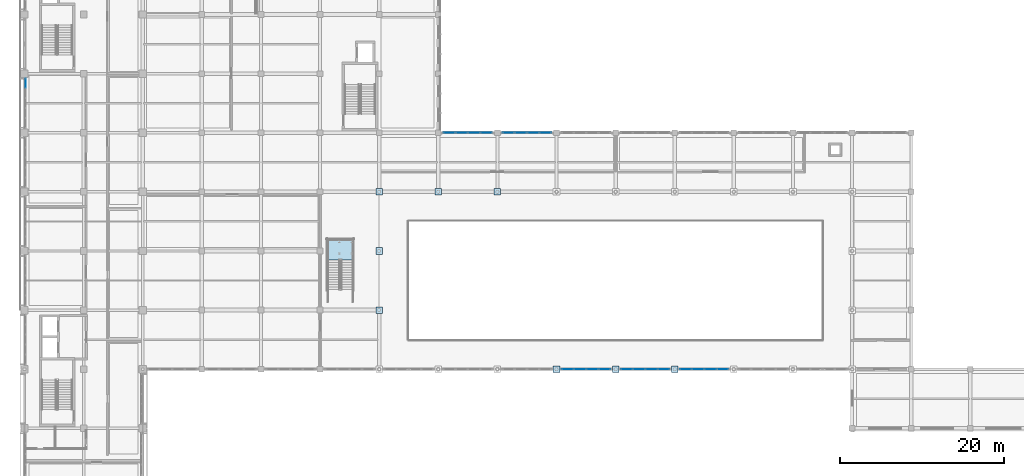
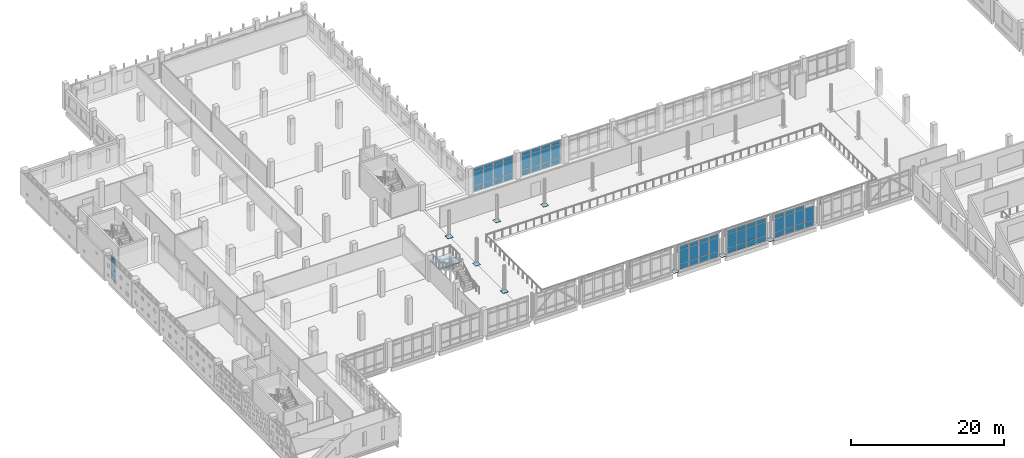
# One storey, part 30 of 62: 70 plates, 1 slab, 7 elements without a shape of their own.
"""IFC4 building model written with IfcOpenShell, lengths in metres."""

import ifcopenshell
import ifcopenshell.guid

model = None  # the IFC model being written
_history = None  # IfcOwnerHistory: only IFC2X3 demands one
_inside = {}  # id of a spatial element -> (the spatial element, [elements in it])
_under = {}  # id of a project, library or spatial element -> (it, [spatial elements below it])
_declared = {}  # id of a project -> (the project, [libraries it declares])
_typed = {}  # id of a type object -> (the type object, [elements of that type])
_made_of = {}  # id of a material, layer set ... -> (it, [elements and type objects made of it])


def new_model(schema):
    """Start an empty IFC model of exactly this schema.

    Asked for "IFC4X3", IfcOpenShell would pick the latest addendum, in which some entities
    have other attributes; the version numbers below select the first issue.
    IFC2X3 requires an IfcOwnerHistory on every rooted entity: one is made here for all.
    """
    global model, _history
    if schema == "IFC4X3":
        model = ifcopenshell.file(schema_version=(4, 3, 0, 0))
    else:
        model = ifcopenshell.file(schema=schema)
    _inside.clear()
    _under.clear()
    _declared.clear()
    _typed.clear()
    _made_of.clear()
    _history = None
    if model.schema == "IFC2X3":
        org = make("IfcOrganization", Name="unknown")
        user = make(
            "IfcPersonAndOrganization",
            ThePerson=make("IfcPerson", FamilyName="unknown"),
            TheOrganization=org,
        )
        app = make(
            "IfcApplication",
            ApplicationDeveloper=org,
            Version="unknown",
            ApplicationFullName="unknown",
            ApplicationIdentifier="unknown",
        )
        _history = make(
            "IfcOwnerHistory",
            OwningUser=user,
            OwningApplication=app,
            ChangeAction="ADDED",
            CreationDate=0,
        )
    return model


def make(cls, **values):
    """One entity of the class cls with the attributes given. An attribute that is None is left unset."""
    return model.create_entity(
        cls, **{name: value for name, value in values.items() if value is not None}
    )


def rooted(cls, **values):
    """An entity with a GlobalId (a new one), such as an element, a storey or a relation."""
    return make(cls, GlobalId=ifcopenshell.guid.new(), OwnerHistory=_history, **values)


def si_unit(unit_type, name, prefix=None):
    """IfcSIUnit, for example si_unit("LENGTHUNIT", "METRE", prefix="MILLI")."""
    return make("IfcSIUnit", UnitType=unit_type, Prefix=prefix, Name=name)


def assignment(units):
    """IfcUnitAssignment: the units of a project."""
    return None if units is None else make("IfcUnitAssignment", Units=units)


def point(xyz):
    """IfcCartesianPoint."""
    return None if xyz is None else make("IfcCartesianPoint", Coordinates=xyz)


def direction(xyz):
    """IfcDirection."""
    return None if xyz is None else make("IfcDirection", DirectionRatios=xyz)


def frame(location, z_axis=None, x_axis=None):
    """IfcAxis2Placement3D, a coordinate frame: its origin and axes. An axis left out is left unset."""
    return make(
        "IfcAxis2Placement3D",
        Location=point(location),
        Axis=direction(z_axis),
        RefDirection=direction(x_axis),
    )


def frame_2d(location, x_axis=None):
    """IfcAxis2Placement2D, a coordinate frame in the plane: its origin and x axis."""
    return make(
        "IfcAxis2Placement2D", Location=point(location), RefDirection=direction(x_axis)
    )


def origin():
    """The frame at (0, 0, 0) with its axes left unset."""
    return frame((0.0, 0.0, 0.0))


def origin_2d():
    """The frame at (0, 0) in the plane with its x axis left unset."""
    return frame_2d((0.0, 0.0))


def place(relative_to, where):
    """IfcLocalPlacement: puts the frame where relative to a parent placement (None: the world)."""
    return make(
        "IfcLocalPlacement", PlacementRelTo=relative_to, RelativePlacement=where
    )


def context(
    kind, dimensions, precision=None, world=None, true_north=None, identifier=None
):
    """IfcGeometricRepresentationContext, for example the 3D "Model" context."""
    return make(
        "IfcGeometricRepresentationContext",
        ContextIdentifier=identifier,
        ContextType=kind,
        CoordinateSpaceDimension=dimensions,
        Precision=precision,
        WorldCoordinateSystem=world,
        TrueNorth=true_north,
    )


def subcontext(parent, identifier, kind, view, scale=None):
    """IfcGeometricRepresentationSubContext, for example "Body" below "Model"."""
    return make(
        "IfcGeometricRepresentationSubContext",
        ContextIdentifier=identifier,
        ContextType=kind,
        ParentContext=parent,
        TargetScale=scale,
        TargetView=view,
    )


def project(units=None, contexts=None):
    """IfcProject with its units and contexts."""
    return rooted(
        "IfcProject",
        Name="project",
        RepresentationContexts=contexts,
        UnitsInContext=assignment(units),
    )


def spatial(cls, under=None, at=None, **own):
    """A site, building, storey or space (cls), placed at a placement, below another one or the project."""
    s = rooted(cls, ObjectPlacement=at, **own)
    if under is not None:
        _under.setdefault(under.id(), (under, []))[1].append(s)
    return s


def polyline(points):
    """IfcPolyline through the points."""
    return make("IfcPolyline", Points=[point(p) for p in points])


def profile(cls, at=None, kind="AREA", **sizes):
    """A parametric profile (cls). Its sizes go by their IFC names, for example OverallWidth=200.0."""
    return make(cls, ProfileType=kind, Position=at, **sizes)


def rectangle(**sizes):
    """IfcRectangleProfileDef."""
    return profile("IfcRectangleProfileDef", **sizes)


def outline(outer, holes=None, kind="AREA"):
    """IfcArbitraryClosedProfileDef: a profile drawn as a closed curve; with holes, ...WithVoids."""
    if holes is None:
        return make("IfcArbitraryClosedProfileDef", ProfileType=kind, OuterCurve=outer)
    return make(
        "IfcArbitraryProfileDefWithVoids",
        ProfileType=kind,
        OuterCurve=outer,
        InnerCurves=holes,
    )


def extrude(swept, where, along, depth):
    """IfcExtrudedAreaSolid: the profile swept, set in the frame where, extruded along a direction by depth."""
    return make(
        "IfcExtrudedAreaSolid",
        SweptArea=swept,
        Position=where,
        ExtrudedDirection=direction(along),
        Depth=depth,
    )


def shape(context_of_items, identifier, shape_type, items):
    """IfcShapeRepresentation: the items that make up one representation, for example the "Body"."""
    return make(
        "IfcShapeRepresentation",
        ContextOfItems=context_of_items,
        RepresentationIdentifier=identifier,
        RepresentationType=shape_type,
        Items=items,
    )


def material(Name=None, Category=None):
    """IfcMaterial."""
    return make("IfcMaterial", Name=Name, Category=Category)


def layer(
    of_material, thickness, ventilated=None, Name=None, Category=None, Priority=None
):
    """IfcMaterialLayer: one layer of a wall or slab, of a material (None: an air gap)."""
    return make(
        "IfcMaterialLayer",
        Material=of_material,
        LayerThickness=thickness,
        IsVentilated=ventilated,
        Name=Name,
        Category=Category,
        Priority=Priority,
    )


def layer_set(layers, Name=None):
    """IfcMaterialLayerSet."""
    return make("IfcMaterialLayerSet", MaterialLayers=layers, LayerSetName=Name)


def made_of(thing, what):
    """Note that an element or type object is made of a material, layer set ...; save() writes the relation."""
    if what is not None:
        _made_of.setdefault(what.id(), (what, []))[1].append(thing)
    return thing


def type_object(cls, material=None, **own):
    """A type object (cls), such as IfcWallType, which elements share."""
    return made_of(rooted(cls, **own), material)


def element(
    cls,
    number,
    at=None,
    inside=None,
    cuts=None,
    type_object=None,
    material=None,
    context=None,
    identifier="Body",
    shape_type=None,
    held_by="IfcProductDefinitionShape",
    body=None,
    shapes=None,
    **own,
):
    """One element of the class cls, such as IfcWall. Its Tag is "e" and its number.

    at: its placement. inside: the storey or other place that contains it. cuts: it is an
    opening in that element (IfcRelVoidsElement). A single representation is given by context,
    identifier, shape_type and body (its items); several are given by shapes. held_by: the class
    of the entity that holds the representations. save() writes the other relations.
    """
    e = rooted(cls, Tag="e%d" % number, ObjectPlacement=at, **own)
    if body is not None:
        shapes = [shape(context, identifier, shape_type, body)]
    if shapes is not None:
        e.Representation = make(held_by, Representations=shapes)
    if inside is not None:
        _inside.setdefault(inside.id(), (inside, []))[1].append(e)
    if cuts is not None:
        rooted(
            "IfcRelVoidsElement", RelatingBuildingElement=cuts, RelatedOpeningElement=e
        )
    if type_object is not None:
        _typed.setdefault(type_object.id(), (type_object, []))[1].append(e)
    return made_of(e, material)


def aggregate(whole, parts):
    """IfcRelAggregates: a whole, such as a stair, and the parts it consists of."""
    return rooted("IfcRelAggregates", RelatingObject=whole, RelatedObjects=parts)


def save(model, path):
    """Write the relations noted so far, then the file.

    IfcRelAggregates (storeys below a building ...), IfcRelContainedInSpatialStructure (elements
    in a storey), IfcRelDefinesByType, IfcRelAssociatesMaterial and IfcRelDeclares: one each for
    every whole, place, type object, material and project.
    """
    for whole, parts in _under.values():
        aggregate(whole, parts)
    for where, things in _inside.values():
        rooted(
            "IfcRelContainedInSpatialStructure",
            RelatedElements=things,
            RelatingStructure=where,
        )
    for kind, things in _typed.values():
        rooted("IfcRelDefinesByType", RelatedObjects=things, RelatingType=kind)
    for what, things in _made_of.values():
        rooted("IfcRelAssociatesMaterial", RelatedObjects=things, RelatingMaterial=what)
    for by, libraries in _declared.values():
        rooted("IfcRelDeclares", RelatingContext=by, RelatedDefinitions=libraries)
    model.write(path)


model = new_model("IFC4")

# Units and contexts
model_context = context("Model", 3, precision=1e-05, world=origin(), true_north=direction((0.0, 1.0)))
body_context = subcontext(model_context, "Body", "Model", "MODEL_VIEW")
ifc_project = project(units=[si_unit("LENGTHUNIT", "METRE"), si_unit("AREAUNIT", "SQUARE_METRE"), si_unit("VOLUMEUNIT", "CUBIC_METRE"), si_unit("PLANEANGLEUNIT", "RADIAN"), si_unit("MASSUNIT", "GRAM", prefix="KILO")], contexts=[model_context])

# Site, building, storey
site_placement = place(None, origin())
site = spatial("IfcSite", under=ifc_project, at=site_placement, CompositionType="ELEMENT")
building_placement = place(site_placement, origin())
building = spatial("IfcBuilding", under=site, at=building_placement, Name="Valkovuoma Quantum and Materials Research Institute", CompositionType="ELEMENT")
storey_placement = place(building_placement, frame((0.0, 0.0, 8.9599609375)))
storey = spatial("IfcBuildingStorey", under=building, at=storey_placement, Name="L02", CompositionType="ELEMENT", Elevation=8.9599609375)

# Curtain wall, plates
ifc_material_1 = material(Name="Thermally broken aluminium and triple low-E glazing", Category="aluminium")
ifc_layer_1 = layer(ifc_material_1, 0.219970703125)
ifc_layer_set_1 = layer_set([ifc_layer_1], Name="Thermally broken aluminium and triple low-E glazing")
curtain_wall_type_1 = type_object("IfcCurtainWallType", Name="CW-CW-01", PredefinedType="NOTDEFINED", material=ifc_layer_set_1)
curtain_wall_1_placement = place(storey_placement, origin())
curtain_wall_1 = element("IfcCurtainWall", 1, at=curtain_wall_1_placement, inside=storey, type_object=curtain_wall_type_1, Name="L02 curtain wall 025", PredefinedType="NOTDEFINED")
ifc_material_2 = material(Name="Triple low-E argon insulating glass", Category="glass")
ifc_layer_2 = layer(ifc_material_2, 0.035888671875)
ifc_layer_set_2 = layer_set([ifc_layer_2], Name="Triple low-E argon insulating glass")
plate_type_1 = type_object("IfcPlateType", Name="CWPanel-CWP-01", PredefinedType="CURTAIN_PANEL", material=ifc_layer_set_2)
plate_1_placement = place(storey_placement, frame((0.14990234375, 70.818115234375, 0.06494140625), z_axis=(0.0, 0.0, 1.0), x_axis=(0.0, 1.0, 0.0)))
plate_1 = element("IfcPlate", 2, at=plate_1_placement, type_object=plate_type_1, Name="CW-01 panel 5.1", PredefinedType="CURTAIN_PANEL", context=body_context, shape_type="SweptSolid", body=[
    extrude(rectangle(XDim=1.11962890625, YDim=0.035888671875, at=origin_2d()), origin(), (0.0, 0.0, 1.0), 0.8525390625),
])
plate_2_placement = place(storey_placement, frame((0.14990234375, 70.818115234375, 0.982421875), z_axis=(0.0, 0.0, 1.0), x_axis=(0.0, 1.0, 0.0)))
plate_2 = element("IfcPlate", 3, at=plate_2_placement, type_object=plate_type_1, Name="CW-01 panel 5.2", PredefinedType="CURTAIN_PANEL", context=body_context, shape_type="SweptSolid", body=[
    extrude(rectangle(XDim=1.11962890625, YDim=0.035888671875, at=origin_2d()), origin(), (0.0, 0.0, 1.0), 2.14501953125),
])
plate_3_placement = place(storey_placement, frame((0.14990234375, 70.818115234375, 3.1923828125), z_axis=(0.0, 0.0, 1.0), x_axis=(0.0, 1.0, 0.0)))
plate_3 = element("IfcPlate", 4, at=plate_3_placement, type_object=plate_type_1, Name="CW-01 panel 5.3", PredefinedType="CURTAIN_PANEL", context=body_context, shape_type="SweptSolid", body=[
    extrude(rectangle(XDim=1.11962890625, YDim=0.035888671875, at=origin_2d()), origin(), (0.0, 0.0, 1.0), 0.552490234375),
])
aggregate(curtain_wall_1, [plate_1, plate_2, plate_3])

ifc_material_3 = material(Name="Thermally broken aluminium and triple low-E glazing", Category="aluminium")
ifc_layer_3 = layer(ifc_material_3, 0.219970703125)
ifc_layer_set_3 = layer_set([ifc_layer_3], Name="Thermally broken aluminium and triple low-E glazing")
curtain_wall_type_2 = type_object("IfcCurtainWallType", Name="CW-CW-02", PredefinedType="NOTDEFINED", material=ifc_layer_set_3)
curtain_wall_2_placement = place(storey_placement, origin())
curtain_wall_2 = element("IfcCurtainWall", 5, at=curtain_wall_2_placement, inside=storey, type_object=curtain_wall_type_2, Name="L02 curtain wall 191", PredefinedType="NOTDEFINED")
ifc_material_4 = material(Name="Triple low-E argon insulating glass", Category="glass")
ifc_layer_4 = layer(ifc_material_4, 0.0419921875)
ifc_layer_set_4 = layer_set([ifc_layer_4], Name="Triple low-E argon insulating glass")
plate_type_2 = type_object("IfcPlateType", Name="CWPanel-CWP-02", PredefinedType="CURTAIN_PANEL", material=ifc_layer_set_4)
plate_4_placement = place(storey_placement, frame((51.7548828125, 64.800048828125, 0.0751953125), z_axis=(0.0, 0.0, 1.0), x_axis=(1.0, 0.0, 0.0)))
plate_4 = element("IfcPlate", 6, at=plate_4_placement, type_object=plate_type_2, Name="CW-02 panel 1.1", PredefinedType="CURTAIN_PANEL", context=body_context, shape_type="SweptSolid", body=[
    extrude(rectangle(XDim=1.389892578125, YDim=0.0419921875, at=origin_2d()), origin(), (0.0, 0.0, 1.0), 0.83740234375),
])
plate_5_placement = place(storey_placement, frame((51.7548828125, 64.800048828125, 0.9873046875), z_axis=(0.0, 0.0, 1.0), x_axis=(1.0, 0.0, 0.0)))
plate_5 = element("IfcPlate", 7, at=plate_5_placement, type_object=plate_type_2, Name="CW-02 panel 1.2", PredefinedType="CURTAIN_PANEL", context=body_context, shape_type="SweptSolid", body=[
    extrude(rectangle(XDim=1.389892578125, YDim=0.0419921875, at=origin_2d()), origin(), (0.0, 0.0, 1.0), 2.135009765625),
])
plate_6_placement = place(storey_placement, frame((51.7548828125, 64.800048828125, 3.197509765625), z_axis=(0.0, 0.0, 1.0), x_axis=(1.0, 0.0, 0.0)))
plate_6 = element("IfcPlate", 8, at=plate_6_placement, type_object=plate_type_2, Name="CW-02 panel 1.3", PredefinedType="CURTAIN_PANEL", context=body_context, shape_type="SweptSolid", body=[
    extrude(rectangle(XDim=1.389892578125, YDim=0.0419921875, at=origin_2d()), origin(), (0.0, 0.0, 1.0), 0.53759765625),
])
plate_7_placement = place(storey_placement, frame((53.2451171875, 64.800048828125, 0.0751953125), z_axis=(0.0, 0.0, 1.0), x_axis=(1.0, 0.0, 0.0)))
plate_7 = element("IfcPlate", 9, at=plate_7_placement, type_object=plate_type_2, Name="CW-02 panel 2.1", PredefinedType="CURTAIN_PANEL", context=body_context, shape_type="SweptSolid", body=[
    extrude(rectangle(XDim=1.429931640625, YDim=0.0419921875, at=origin_2d()), origin(), (0.0, 0.0, 1.0), 0.83740234375),
])
plate_8_placement = place(storey_placement, frame((53.2451171875, 64.800048828125, 0.9873046875), z_axis=(0.0, 0.0, 1.0), x_axis=(1.0, 0.0, 0.0)))
plate_8 = element("IfcPlate", 10, at=plate_8_placement, type_object=plate_type_2, Name="CW-02 panel 2.2", PredefinedType="CURTAIN_PANEL", context=body_context, shape_type="SweptSolid", body=[
    extrude(rectangle(XDim=1.429931640625, YDim=0.0419921875, at=origin_2d()), origin(), (0.0, 0.0, 1.0), 2.135009765625),
])
plate_9_placement = place(storey_placement, frame((53.2451171875, 64.800048828125, 3.197509765625), z_axis=(0.0, 0.0, 1.0), x_axis=(1.0, 0.0, 0.0)))
plate_9 = element("IfcPlate", 11, at=plate_9_placement, type_object=plate_type_2, Name="CW-02 panel 2.3", PredefinedType="CURTAIN_PANEL", context=body_context, shape_type="SweptSolid", body=[
    extrude(rectangle(XDim=1.429931640625, YDim=0.0419921875, at=origin_2d()), origin(), (0.0, 0.0, 1.0), 0.53759765625),
])
plate_10_placement = place(storey_placement, frame((54.7548828125, 64.800048828125, 0.0751953125), z_axis=(0.0, 0.0, 1.0), x_axis=(1.0, 0.0, 0.0)))
plate_10 = element("IfcPlate", 12, at=plate_10_placement, type_object=plate_type_2, Name="CW-02 panel 3.1", PredefinedType="CURTAIN_PANEL", context=body_context, shape_type="SweptSolid", body=[
    extrude(rectangle(XDim=1.429931640625, YDim=0.0419921875, at=origin_2d()), origin(), (0.0, 0.0, 1.0), 0.83740234375),
])
plate_11_placement = place(storey_placement, frame((54.7548828125, 64.800048828125, 0.9873046875), z_axis=(0.0, 0.0, 1.0), x_axis=(1.0, 0.0, 0.0)))
plate_11 = element("IfcPlate", 13, at=plate_11_placement, type_object=plate_type_2, Name="CW-02 panel 3.2", PredefinedType="CURTAIN_PANEL", context=body_context, shape_type="SweptSolid", body=[
    extrude(rectangle(XDim=1.429931640625, YDim=0.0419921875, at=origin_2d()), origin(), (0.0, 0.0, 1.0), 2.135009765625),
])
plate_12_placement = place(storey_placement, frame((54.7548828125, 64.800048828125, 3.197509765625), z_axis=(0.0, 0.0, 1.0), x_axis=(1.0, 0.0, 0.0)))
plate_12 = element("IfcPlate", 14, at=plate_12_placement, type_object=plate_type_2, Name="CW-02 panel 3.3", PredefinedType="CURTAIN_PANEL", context=body_context, shape_type="SweptSolid", body=[
    extrude(rectangle(XDim=1.429931640625, YDim=0.0419921875, at=origin_2d()), origin(), (0.0, 0.0, 1.0), 0.53759765625),
])
plate_13_placement = place(storey_placement, frame((56.2451171875, 64.800048828125, 0.0751953125), z_axis=(0.0, 0.0, 1.0), x_axis=(1.0, 0.0, 0.0)))
plate_13 = element("IfcPlate", 15, at=plate_13_placement, type_object=plate_type_2, Name="CW-02 panel 4.1", PredefinedType="CURTAIN_PANEL", context=body_context, shape_type="SweptSolid", body=[
    extrude(rectangle(XDim=1.389892578125, YDim=0.0419921875, at=origin_2d()), origin(), (0.0, 0.0, 1.0), 0.83740234375),
])
plate_14_placement = place(storey_placement, frame((56.2451171875, 64.800048828125, 0.9873046875), z_axis=(0.0, 0.0, 1.0), x_axis=(1.0, 0.0, 0.0)))
plate_14 = element("IfcPlate", 16, at=plate_14_placement, type_object=plate_type_2, Name="CW-02 panel 4.2", PredefinedType="CURTAIN_PANEL", context=body_context, shape_type="SweptSolid", body=[
    extrude(rectangle(XDim=1.389892578125, YDim=0.0419921875, at=origin_2d()), origin(), (0.0, 0.0, 1.0), 2.135009765625),
])
plate_15_placement = place(storey_placement, frame((56.2451171875, 64.800048828125, 3.197509765625), z_axis=(0.0, 0.0, 1.0), x_axis=(1.0, 0.0, 0.0)))
plate_15 = element("IfcPlate", 17, at=plate_15_placement, type_object=plate_type_2, Name="CW-02 panel 4.3", PredefinedType="CURTAIN_PANEL", context=body_context, shape_type="SweptSolid", body=[
    extrude(rectangle(XDim=1.389892578125, YDim=0.0419921875, at=origin_2d()), origin(), (0.0, 0.0, 1.0), 0.53759765625),
])
aggregate(curtain_wall_2, [plate_4, plate_5, plate_6, plate_7, plate_8, plate_9, plate_10, plate_11, plate_12, plate_13, plate_14, plate_15])

curtain_wall_3_placement = place(storey_placement, origin())
curtain_wall_3 = element("IfcCurtainWall", 18, at=curtain_wall_3_placement, inside=storey, type_object=curtain_wall_type_2, Name="L02 curtain wall 192", PredefinedType="NOTDEFINED")
plate_16_placement = place(storey_placement, frame((58.955078125, 64.800048828125, 0.0751953125), z_axis=(0.0, 0.0, 1.0), x_axis=(1.0, 0.0, 0.0)))
plate_16 = element("IfcPlate", 19, at=plate_16_placement, type_object=plate_type_2, Name="CW-02 panel 1.1", PredefinedType="CURTAIN_PANEL", context=body_context, shape_type="SweptSolid", body=[
    extrude(rectangle(XDim=1.389892578125, YDim=0.0419921875, at=origin_2d()), origin(), (0.0, 0.0, 1.0), 0.83740234375),
])
plate_17_placement = place(storey_placement, frame((58.955078125, 64.800048828125, 0.9873046875), z_axis=(0.0, 0.0, 1.0), x_axis=(1.0, 0.0, 0.0)))
plate_17 = element("IfcPlate", 20, at=plate_17_placement, type_object=plate_type_2, Name="CW-02 panel 1.2", PredefinedType="CURTAIN_PANEL", context=body_context, shape_type="SweptSolid", body=[
    extrude(rectangle(XDim=1.389892578125, YDim=0.0419921875, at=origin_2d()), origin(), (0.0, 0.0, 1.0), 2.135009765625),
])
plate_18_placement = place(storey_placement, frame((58.955078125, 64.800048828125, 3.197509765625), z_axis=(0.0, 0.0, 1.0), x_axis=(1.0, 0.0, 0.0)))
plate_18 = element("IfcPlate", 21, at=plate_18_placement, type_object=plate_type_2, Name="CW-02 panel 1.3", PredefinedType="CURTAIN_PANEL", context=body_context, shape_type="SweptSolid", body=[
    extrude(rectangle(XDim=1.389892578125, YDim=0.0419921875, at=origin_2d()), origin(), (0.0, 0.0, 1.0), 0.53759765625),
])
plate_19_placement = place(storey_placement, frame((60.445068359375, 64.800048828125, 0.0751953125), z_axis=(0.0, 0.0, 1.0), x_axis=(1.0, 0.0, 0.0)))
plate_19 = element("IfcPlate", 22, at=plate_19_placement, type_object=plate_type_2, Name="CW-02 panel 2.1", PredefinedType="CURTAIN_PANEL", context=body_context, shape_type="SweptSolid", body=[
    extrude(rectangle(XDim=1.429931640625, YDim=0.0419921875, at=origin_2d()), origin(), (0.0, 0.0, 1.0), 0.83740234375),
])
plate_20_placement = place(storey_placement, frame((60.445068359375, 64.800048828125, 0.9873046875), z_axis=(0.0, 0.0, 1.0), x_axis=(1.0, 0.0, 0.0)))
plate_20 = element("IfcPlate", 23, at=plate_20_placement, type_object=plate_type_2, Name="CW-02 panel 2.2", PredefinedType="CURTAIN_PANEL", context=body_context, shape_type="SweptSolid", body=[
    extrude(rectangle(XDim=1.429931640625, YDim=0.0419921875, at=origin_2d()), origin(), (0.0, 0.0, 1.0), 2.135009765625),
])
plate_21_placement = place(storey_placement, frame((60.445068359375, 64.800048828125, 3.197509765625), z_axis=(0.0, 0.0, 1.0), x_axis=(1.0, 0.0, 0.0)))
plate_21 = element("IfcPlate", 24, at=plate_21_placement, type_object=plate_type_2, Name="CW-02 panel 2.3", PredefinedType="CURTAIN_PANEL", context=body_context, shape_type="SweptSolid", body=[
    extrude(rectangle(XDim=1.429931640625, YDim=0.0419921875, at=origin_2d()), origin(), (0.0, 0.0, 1.0), 0.53759765625),
])
plate_22_placement = place(storey_placement, frame((61.955078125, 64.800048828125, 0.0751953125), z_axis=(0.0, 0.0, 1.0), x_axis=(1.0, 0.0, 0.0)))
plate_22 = element("IfcPlate", 25, at=plate_22_placement, type_object=plate_type_2, Name="CW-02 panel 3.1", PredefinedType="CURTAIN_PANEL", context=body_context, shape_type="SweptSolid", body=[
    extrude(rectangle(XDim=1.429931640625, YDim=0.0419921875, at=origin_2d()), origin(), (0.0, 0.0, 1.0), 0.83740234375),
])
plate_23_placement = place(storey_placement, frame((61.955078125, 64.800048828125, 0.9873046875), z_axis=(0.0, 0.0, 1.0), x_axis=(1.0, 0.0, 0.0)))
plate_23 = element("IfcPlate", 26, at=plate_23_placement, type_object=plate_type_2, Name="CW-02 panel 3.2", PredefinedType="CURTAIN_PANEL", context=body_context, shape_type="SweptSolid", body=[
    extrude(rectangle(XDim=1.429931640625, YDim=0.0419921875, at=origin_2d()), origin(), (0.0, 0.0, 1.0), 2.135009765625),
])
plate_24_placement = place(storey_placement, frame((61.955078125, 64.800048828125, 3.197509765625), z_axis=(0.0, 0.0, 1.0), x_axis=(1.0, 0.0, 0.0)))
plate_24 = element("IfcPlate", 27, at=plate_24_placement, type_object=plate_type_2, Name="CW-02 panel 3.3", PredefinedType="CURTAIN_PANEL", context=body_context, shape_type="SweptSolid", body=[
    extrude(rectangle(XDim=1.429931640625, YDim=0.0419921875, at=origin_2d()), origin(), (0.0, 0.0, 1.0), 0.53759765625),
])
plate_25_placement = place(storey_placement, frame((63.445068359375, 64.800048828125, 0.0751953125), z_axis=(0.0, 0.0, 1.0), x_axis=(1.0, 0.0, 0.0)))
plate_25 = element("IfcPlate", 28, at=plate_25_placement, type_object=plate_type_2, Name="CW-02 panel 4.1", PredefinedType="CURTAIN_PANEL", context=body_context, shape_type="SweptSolid", body=[
    extrude(rectangle(XDim=1.389892578125, YDim=0.0419921875, at=origin_2d()), origin(), (0.0, 0.0, 1.0), 0.83740234375),
])
plate_26_placement = place(storey_placement, frame((63.445068359375, 64.800048828125, 0.9873046875), z_axis=(0.0, 0.0, 1.0), x_axis=(1.0, 0.0, 0.0)))
plate_26 = element("IfcPlate", 29, at=plate_26_placement, type_object=plate_type_2, Name="CW-02 panel 4.2", PredefinedType="CURTAIN_PANEL", context=body_context, shape_type="SweptSolid", body=[
    extrude(rectangle(XDim=1.389892578125, YDim=0.0419921875, at=origin_2d()), origin(), (0.0, 0.0, 1.0), 2.135009765625),
])
plate_27_placement = place(storey_placement, frame((63.445068359375, 64.800048828125, 3.197509765625), z_axis=(0.0, 0.0, 1.0), x_axis=(1.0, 0.0, 0.0)))
plate_27 = element("IfcPlate", 30, at=plate_27_placement, type_object=plate_type_2, Name="CW-02 panel 4.3", PredefinedType="CURTAIN_PANEL", context=body_context, shape_type="SweptSolid", body=[
    extrude(rectangle(XDim=1.389892578125, YDim=0.0419921875, at=origin_2d()), origin(), (0.0, 0.0, 1.0), 0.53759765625),
])
aggregate(curtain_wall_3, [plate_16, plate_17, plate_18, plate_19, plate_20, plate_21, plate_22, plate_23, plate_24, plate_25, plate_26, plate_27])

curtain_wall_4_placement = place(storey_placement, origin())
curtain_wall_4 = element("IfcCurtainWall", 31, at=curtain_wall_4_placement, inside=storey, type_object=curtain_wall_type_2, Name="L02 curtain wall 186", PredefinedType="NOTDEFINED")
ifc_material_5 = material(Name="Triple low-E argon insulating glass", Category="glass")
ifc_layer_5 = layer(ifc_material_5, 0.048095703125)
ifc_layer_set_5 = layer_set([ifc_layer_5], Name="Triple low-E argon insulating glass")
plate_type_3 = type_object("IfcPlateType", Name="CWPanel-CWP-03", PredefinedType="CURTAIN_PANEL", material=ifc_layer_set_5)
plate_28_placement = place(storey_placement, frame((66.155029296875, 36.0, 0.0751953125), z_axis=(0.0, 0.0, 1.0), x_axis=(1.0, 0.0, 0.0)))
plate_28 = element("IfcPlate", 32, at=plate_28_placement, type_object=plate_type_3, Name="CW-02 panel 1.1", PredefinedType="CURTAIN_PANEL", context=body_context, shape_type="SweptSolid", body=[
    extrude(rectangle(XDim=1.389892578125, YDim=0.048095703125, at=origin_2d()), origin(), (0.0, 0.0, 1.0), 0.83740234375),
])
plate_29_placement = place(storey_placement, frame((66.155029296875, 36.0, 0.9873046875), z_axis=(0.0, 0.0, 1.0), x_axis=(1.0, 0.0, 0.0)))
plate_29 = element("IfcPlate", 33, at=plate_29_placement, type_object=plate_type_3, Name="CW-02 panel 1.2", PredefinedType="CURTAIN_PANEL", context=body_context, shape_type="SweptSolid", body=[
    extrude(rectangle(XDim=1.389892578125, YDim=0.048095703125, at=origin_2d()), origin(), (0.0, 0.0, 1.0), 2.135009765625),
])
plate_30_placement = place(storey_placement, frame((66.155029296875, 36.0, 3.197509765625), z_axis=(0.0, 0.0, 1.0), x_axis=(1.0, 0.0, 0.0)))
plate_30 = element("IfcPlate", 34, at=plate_30_placement, type_object=plate_type_3, Name="CW-02 panel 1.3", PredefinedType="CURTAIN_PANEL", context=body_context, shape_type="SweptSolid", body=[
    extrude(rectangle(XDim=1.389892578125, YDim=0.048095703125, at=origin_2d()), origin(), (0.0, 0.0, 1.0), 0.53759765625),
])
plate_31_placement = place(storey_placement, frame((67.64501953125, 36.0, 0.0751953125), z_axis=(0.0, 0.0, 1.0), x_axis=(1.0, 0.0, 0.0)))
plate_31 = element("IfcPlate", 35, at=plate_31_placement, type_object=plate_type_3, Name="CW-02 panel 2.1", PredefinedType="CURTAIN_PANEL", context=body_context, shape_type="SweptSolid", body=[
    extrude(rectangle(XDim=1.429931640625, YDim=0.048095703125, at=origin_2d()), origin(), (0.0, 0.0, 1.0), 0.83740234375),
])
plate_32_placement = place(storey_placement, frame((67.64501953125, 36.0, 0.9873046875), z_axis=(0.0, 0.0, 1.0), x_axis=(1.0, 0.0, 0.0)))
plate_32 = element("IfcPlate", 36, at=plate_32_placement, type_object=plate_type_3, Name="CW-02 panel 2.2", PredefinedType="CURTAIN_PANEL", context=body_context, shape_type="SweptSolid", body=[
    extrude(rectangle(XDim=1.429931640625, YDim=0.048095703125, at=origin_2d()), origin(), (0.0, 0.0, 1.0), 2.135009765625),
])
plate_33_placement = place(storey_placement, frame((67.64501953125, 36.0, 3.197509765625), z_axis=(0.0, 0.0, 1.0), x_axis=(1.0, 0.0, 0.0)))
plate_33 = element("IfcPlate", 37, at=plate_33_placement, type_object=plate_type_3, Name="CW-02 panel 2.3", PredefinedType="CURTAIN_PANEL", context=body_context, shape_type="SweptSolid", body=[
    extrude(rectangle(XDim=1.429931640625, YDim=0.048095703125, at=origin_2d()), origin(), (0.0, 0.0, 1.0), 0.53759765625),
])
plate_34_placement = place(storey_placement, frame((69.155029296875, 36.0, 0.0751953125), z_axis=(0.0, 0.0, 1.0), x_axis=(1.0, 0.0, 0.0)))
plate_34 = element("IfcPlate", 38, at=plate_34_placement, type_object=plate_type_3, Name="CW-02 panel 3.1", PredefinedType="CURTAIN_PANEL", context=body_context, shape_type="SweptSolid", body=[
    extrude(rectangle(XDim=1.429931640625, YDim=0.048095703125, at=origin_2d()), origin(), (0.0, 0.0, 1.0), 0.83740234375),
])
plate_35_placement = place(storey_placement, frame((69.155029296875, 36.0, 0.9873046875), z_axis=(0.0, 0.0, 1.0), x_axis=(1.0, 0.0, 0.0)))
plate_35 = element("IfcPlate", 39, at=plate_35_placement, type_object=plate_type_3, Name="CW-02 panel 3.2", PredefinedType="CURTAIN_PANEL", context=body_context, shape_type="SweptSolid", body=[
    extrude(rectangle(XDim=1.429931640625, YDim=0.048095703125, at=origin_2d()), origin(), (0.0, 0.0, 1.0), 2.135009765625),
])
plate_36_placement = place(storey_placement, frame((69.155029296875, 36.0, 3.197509765625), z_axis=(0.0, 0.0, 1.0), x_axis=(1.0, 0.0, 0.0)))
plate_36 = element("IfcPlate", 40, at=plate_36_placement, type_object=plate_type_3, Name="CW-02 panel 3.3", PredefinedType="CURTAIN_PANEL", context=body_context, shape_type="SweptSolid", body=[
    extrude(rectangle(XDim=1.429931640625, YDim=0.048095703125, at=origin_2d()), origin(), (0.0, 0.0, 1.0), 0.53759765625),
])
plate_37_placement = place(storey_placement, frame((70.64501953125, 36.0, 0.0751953125), z_axis=(0.0, 0.0, 1.0), x_axis=(1.0, 0.0, 0.0)))
plate_37 = element("IfcPlate", 41, at=plate_37_placement, type_object=plate_type_3, Name="CW-02 panel 4.1", PredefinedType="CURTAIN_PANEL", context=body_context, shape_type="SweptSolid", body=[
    extrude(rectangle(XDim=1.389892578125, YDim=0.048095703125, at=origin_2d()), origin(), (0.0, 0.0, 1.0), 0.83740234375),
])
plate_38_placement = place(storey_placement, frame((70.64501953125, 36.0, 0.9873046875), z_axis=(0.0, 0.0, 1.0), x_axis=(1.0, 0.0, 0.0)))
plate_38 = element("IfcPlate", 42, at=plate_38_placement, type_object=plate_type_3, Name="CW-02 panel 4.2", PredefinedType="CURTAIN_PANEL", context=body_context, shape_type="SweptSolid", body=[
    extrude(rectangle(XDim=1.389892578125, YDim=0.048095703125, at=origin_2d()), origin(), (0.0, 0.0, 1.0), 2.135009765625),
])
plate_39_placement = place(storey_placement, frame((70.64501953125, 36.0, 3.197509765625), z_axis=(0.0, 0.0, 1.0), x_axis=(1.0, 0.0, 0.0)))
plate_39 = element("IfcPlate", 43, at=plate_39_placement, type_object=plate_type_3, Name="CW-02 panel 4.3", PredefinedType="CURTAIN_PANEL", context=body_context, shape_type="SweptSolid", body=[
    extrude(rectangle(XDim=1.389892578125, YDim=0.048095703125, at=origin_2d()), origin(), (0.0, 0.0, 1.0), 0.53759765625),
])
aggregate(curtain_wall_4, [plate_28, plate_29, plate_30, plate_31, plate_32, plate_33, plate_34, plate_35, plate_36, plate_37, plate_38, plate_39])

curtain_wall_5_placement = place(storey_placement, origin())
curtain_wall_5 = element("IfcCurtainWall", 44, at=curtain_wall_5_placement, inside=storey, type_object=curtain_wall_type_2, Name="L02 curtain wall 187", PredefinedType="NOTDEFINED")
plate_40_placement = place(storey_placement, frame((73.35498046875, 36.0, 0.0751953125), z_axis=(0.0, 0.0, 1.0), x_axis=(1.0, 0.0, 0.0)))
plate_40 = element("IfcPlate", 45, at=plate_40_placement, type_object=plate_type_3, Name="CW-02 panel 1.1", PredefinedType="CURTAIN_PANEL", context=body_context, shape_type="SweptSolid", body=[
    extrude(rectangle(XDim=1.389892578125, YDim=0.048095703125, at=origin_2d()), origin(), (0.0, 0.0, 1.0), 0.83740234375),
])
plate_41_placement = place(storey_placement, frame((73.35498046875, 36.0, 0.9873046875), z_axis=(0.0, 0.0, 1.0), x_axis=(1.0, 0.0, 0.0)))
plate_41 = element("IfcPlate", 46, at=plate_41_placement, type_object=plate_type_3, Name="CW-02 panel 1.2", PredefinedType="CURTAIN_PANEL", context=body_context, shape_type="SweptSolid", body=[
    extrude(rectangle(XDim=1.389892578125, YDim=0.048095703125, at=origin_2d()), origin(), (0.0, 0.0, 1.0), 2.135009765625),
])
plate_42_placement = place(storey_placement, frame((73.35498046875, 36.0, 3.197509765625), z_axis=(0.0, 0.0, 1.0), x_axis=(1.0, 0.0, 0.0)))
plate_42 = element("IfcPlate", 47, at=plate_42_placement, type_object=plate_type_3, Name="CW-02 panel 1.3", PredefinedType="CURTAIN_PANEL", context=body_context, shape_type="SweptSolid", body=[
    extrude(rectangle(XDim=1.389892578125, YDim=0.048095703125, at=origin_2d()), origin(), (0.0, 0.0, 1.0), 0.53759765625),
])
plate_43_placement = place(storey_placement, frame((74.844970703125, 36.0, 0.0751953125), z_axis=(0.0, 0.0, 1.0), x_axis=(1.0, 0.0, 0.0)))
plate_43 = element("IfcPlate", 48, at=plate_43_placement, type_object=plate_type_3, Name="CW-02 panel 2.1", PredefinedType="CURTAIN_PANEL", context=body_context, shape_type="SweptSolid", body=[
    extrude(rectangle(XDim=1.429931640625, YDim=0.048095703125, at=origin_2d()), origin(), (0.0, 0.0, 1.0), 0.83740234375),
])
plate_44_placement = place(storey_placement, frame((74.844970703125, 36.0, 0.9873046875), z_axis=(0.0, 0.0, 1.0), x_axis=(1.0, 0.0, 0.0)))
plate_44 = element("IfcPlate", 49, at=plate_44_placement, type_object=plate_type_3, Name="CW-02 panel 2.2", PredefinedType="CURTAIN_PANEL", context=body_context, shape_type="SweptSolid", body=[
    extrude(rectangle(XDim=1.429931640625, YDim=0.048095703125, at=origin_2d()), origin(), (0.0, 0.0, 1.0), 2.135009765625),
])
plate_45_placement = place(storey_placement, frame((74.844970703125, 36.0, 3.197509765625), z_axis=(0.0, 0.0, 1.0), x_axis=(1.0, 0.0, 0.0)))
plate_45 = element("IfcPlate", 50, at=plate_45_placement, type_object=plate_type_3, Name="CW-02 panel 2.3", PredefinedType="CURTAIN_PANEL", context=body_context, shape_type="SweptSolid", body=[
    extrude(rectangle(XDim=1.429931640625, YDim=0.048095703125, at=origin_2d()), origin(), (0.0, 0.0, 1.0), 0.53759765625),
])
plate_46_placement = place(storey_placement, frame((76.35498046875, 36.0, 0.0751953125), z_axis=(0.0, 0.0, 1.0), x_axis=(1.0, 0.0, 0.0)))
plate_46 = element("IfcPlate", 51, at=plate_46_placement, type_object=plate_type_3, Name="CW-02 panel 3.1", PredefinedType="CURTAIN_PANEL", context=body_context, shape_type="SweptSolid", body=[
    extrude(rectangle(XDim=1.429931640625, YDim=0.048095703125, at=origin_2d()), origin(), (0.0, 0.0, 1.0), 0.83740234375),
])
plate_47_placement = place(storey_placement, frame((76.35498046875, 36.0, 0.9873046875), z_axis=(0.0, 0.0, 1.0), x_axis=(1.0, 0.0, 0.0)))
plate_47 = element("IfcPlate", 52, at=plate_47_placement, type_object=plate_type_3, Name="CW-02 panel 3.2", PredefinedType="CURTAIN_PANEL", context=body_context, shape_type="SweptSolid", body=[
    extrude(rectangle(XDim=1.429931640625, YDim=0.048095703125, at=origin_2d()), origin(), (0.0, 0.0, 1.0), 2.135009765625),
])
plate_48_placement = place(storey_placement, frame((76.35498046875, 36.0, 3.197509765625), z_axis=(0.0, 0.0, 1.0), x_axis=(1.0, 0.0, 0.0)))
plate_48 = element("IfcPlate", 53, at=plate_48_placement, type_object=plate_type_3, Name="CW-02 panel 3.3", PredefinedType="CURTAIN_PANEL", context=body_context, shape_type="SweptSolid", body=[
    extrude(rectangle(XDim=1.429931640625, YDim=0.048095703125, at=origin_2d()), origin(), (0.0, 0.0, 1.0), 0.53759765625),
])
plate_49_placement = place(storey_placement, frame((77.844970703125, 36.0, 0.0751953125), z_axis=(0.0, 0.0, 1.0), x_axis=(1.0, 0.0, 0.0)))
plate_49 = element("IfcPlate", 54, at=plate_49_placement, type_object=plate_type_3, Name="CW-02 panel 4.1", PredefinedType="CURTAIN_PANEL", context=body_context, shape_type="SweptSolid", body=[
    extrude(rectangle(XDim=1.389892578125, YDim=0.048095703125, at=origin_2d()), origin(), (0.0, 0.0, 1.0), 0.83740234375),
])
plate_50_placement = place(storey_placement, frame((77.844970703125, 36.0, 0.9873046875), z_axis=(0.0, 0.0, 1.0), x_axis=(1.0, 0.0, 0.0)))
plate_50 = element("IfcPlate", 55, at=plate_50_placement, type_object=plate_type_3, Name="CW-02 panel 4.2", PredefinedType="CURTAIN_PANEL", context=body_context, shape_type="SweptSolid", body=[
    extrude(rectangle(XDim=1.389892578125, YDim=0.048095703125, at=origin_2d()), origin(), (0.0, 0.0, 1.0), 2.135009765625),
])
plate_51_placement = place(storey_placement, frame((77.844970703125, 36.0, 3.197509765625), z_axis=(0.0, 0.0, 1.0), x_axis=(1.0, 0.0, 0.0)))
plate_51 = element("IfcPlate", 56, at=plate_51_placement, type_object=plate_type_3, Name="CW-02 panel 4.3", PredefinedType="CURTAIN_PANEL", context=body_context, shape_type="SweptSolid", body=[
    extrude(rectangle(XDim=1.389892578125, YDim=0.048095703125, at=origin_2d()), origin(), (0.0, 0.0, 1.0), 0.53759765625),
])
aggregate(curtain_wall_5, [plate_40, plate_41, plate_42, plate_43, plate_44, plate_45, plate_46, plate_47, plate_48, plate_49, plate_50, plate_51])

curtain_wall_6_placement = place(storey_placement, origin())
curtain_wall_6 = element("IfcCurtainWall", 57, at=curtain_wall_6_placement, inside=storey, type_object=curtain_wall_type_2, Name="L02 curtain wall 188", PredefinedType="NOTDEFINED")
plate_52_placement = place(storey_placement, frame((80.554931640625, 36.0, 0.0751953125), z_axis=(0.0, 0.0, 1.0), x_axis=(1.0, 0.0, 0.0)))
plate_52 = element("IfcPlate", 58, at=plate_52_placement, type_object=plate_type_3, Name="CW-02 panel 1.1", PredefinedType="CURTAIN_PANEL", context=body_context, shape_type="SweptSolid", body=[
    extrude(rectangle(XDim=1.389892578125, YDim=0.048095703125, at=origin_2d()), origin(), (0.0, 0.0, 1.0), 0.83740234375),
])
plate_53_placement = place(storey_placement, frame((80.554931640625, 36.0, 0.9873046875), z_axis=(0.0, 0.0, 1.0), x_axis=(1.0, 0.0, 0.0)))
plate_53 = element("IfcPlate", 59, at=plate_53_placement, type_object=plate_type_3, Name="CW-02 panel 1.2", PredefinedType="CURTAIN_PANEL", context=body_context, shape_type="SweptSolid", body=[
    extrude(rectangle(XDim=1.389892578125, YDim=0.048095703125, at=origin_2d()), origin(), (0.0, 0.0, 1.0), 2.135009765625),
])
plate_54_placement = place(storey_placement, frame((80.554931640625, 36.0, 3.197509765625), z_axis=(0.0, 0.0, 1.0), x_axis=(1.0, 0.0, 0.0)))
plate_54 = element("IfcPlate", 60, at=plate_54_placement, type_object=plate_type_3, Name="CW-02 panel 1.3", PredefinedType="CURTAIN_PANEL", context=body_context, shape_type="SweptSolid", body=[
    extrude(rectangle(XDim=1.389892578125, YDim=0.048095703125, at=origin_2d()), origin(), (0.0, 0.0, 1.0), 0.53759765625),
])
plate_55_placement = place(storey_placement, frame((82.044921875, 36.0, 0.0751953125), z_axis=(0.0, 0.0, 1.0), x_axis=(1.0, 0.0, 0.0)))
plate_55 = element("IfcPlate", 61, at=plate_55_placement, type_object=plate_type_3, Name="CW-02 panel 2.1", PredefinedType="CURTAIN_PANEL", context=body_context, shape_type="SweptSolid", body=[
    extrude(rectangle(XDim=1.429931640625, YDim=0.048095703125, at=origin_2d()), origin(), (0.0, 0.0, 1.0), 0.83740234375),
])
plate_56_placement = place(storey_placement, frame((82.044921875, 36.0, 0.9873046875), z_axis=(0.0, 0.0, 1.0), x_axis=(1.0, 0.0, 0.0)))
plate_56 = element("IfcPlate", 62, at=plate_56_placement, type_object=plate_type_3, Name="CW-02 panel 2.2", PredefinedType="CURTAIN_PANEL", context=body_context, shape_type="SweptSolid", body=[
    extrude(rectangle(XDim=1.429931640625, YDim=0.048095703125, at=origin_2d()), origin(), (0.0, 0.0, 1.0), 2.135009765625),
])
plate_57_placement = place(storey_placement, frame((82.044921875, 36.0, 3.197509765625), z_axis=(0.0, 0.0, 1.0), x_axis=(1.0, 0.0, 0.0)))
plate_57 = element("IfcPlate", 63, at=plate_57_placement, type_object=plate_type_3, Name="CW-02 panel 2.3", PredefinedType="CURTAIN_PANEL", context=body_context, shape_type="SweptSolid", body=[
    extrude(rectangle(XDim=1.429931640625, YDim=0.048095703125, at=origin_2d()), origin(), (0.0, 0.0, 1.0), 0.53759765625),
])
plate_58_placement = place(storey_placement, frame((83.554931640625, 36.0, 0.0751953125), z_axis=(0.0, 0.0, 1.0), x_axis=(1.0, 0.0, 0.0)))
plate_58 = element("IfcPlate", 64, at=plate_58_placement, type_object=plate_type_3, Name="CW-02 panel 3.1", PredefinedType="CURTAIN_PANEL", context=body_context, shape_type="SweptSolid", body=[
    extrude(rectangle(XDim=1.429931640625, YDim=0.048095703125, at=origin_2d()), origin(), (0.0, 0.0, 1.0), 0.83740234375),
])
plate_59_placement = place(storey_placement, frame((83.554931640625, 36.0, 0.9873046875), z_axis=(0.0, 0.0, 1.0), x_axis=(1.0, 0.0, 0.0)))
plate_59 = element("IfcPlate", 65, at=plate_59_placement, type_object=plate_type_3, Name="CW-02 panel 3.2", PredefinedType="CURTAIN_PANEL", context=body_context, shape_type="SweptSolid", body=[
    extrude(rectangle(XDim=1.429931640625, YDim=0.048095703125, at=origin_2d()), origin(), (0.0, 0.0, 1.0), 2.135009765625),
])
plate_60_placement = place(storey_placement, frame((83.554931640625, 36.0, 3.197509765625), z_axis=(0.0, 0.0, 1.0), x_axis=(1.0, 0.0, 0.0)))
plate_60 = element("IfcPlate", 66, at=plate_60_placement, type_object=plate_type_3, Name="CW-02 panel 3.3", PredefinedType="CURTAIN_PANEL", context=body_context, shape_type="SweptSolid", body=[
    extrude(rectangle(XDim=1.429931640625, YDim=0.048095703125, at=origin_2d()), origin(), (0.0, 0.0, 1.0), 0.53759765625),
])
plate_61_placement = place(storey_placement, frame((85.044921875, 36.0, 0.0751953125), z_axis=(0.0, 0.0, 1.0), x_axis=(1.0, 0.0, 0.0)))
plate_61 = element("IfcPlate", 67, at=plate_61_placement, type_object=plate_type_3, Name="CW-02 panel 4.1", PredefinedType="CURTAIN_PANEL", context=body_context, shape_type="SweptSolid", body=[
    extrude(rectangle(XDim=1.389892578125, YDim=0.048095703125, at=origin_2d()), origin(), (0.0, 0.0, 1.0), 0.83740234375),
])
plate_62_placement = place(storey_placement, frame((85.044921875, 36.0, 0.9873046875), z_axis=(0.0, 0.0, 1.0), x_axis=(1.0, 0.0, 0.0)))
plate_62 = element("IfcPlate", 68, at=plate_62_placement, type_object=plate_type_3, Name="CW-02 panel 4.2", PredefinedType="CURTAIN_PANEL", context=body_context, shape_type="SweptSolid", body=[
    extrude(rectangle(XDim=1.389892578125, YDim=0.048095703125, at=origin_2d()), origin(), (0.0, 0.0, 1.0), 2.135009765625),
])
aggregate(curtain_wall_6, [plate_52, plate_53, plate_54, plate_55, plate_56, plate_57, plate_58, plate_59, plate_60, plate_61, plate_62])

# Plates
ifc_material_6 = material(Name="Steel S355J2", Category="steel")
plate_type_4 = type_object("IfcPlateType", Name="Plate-PL-BAS2", PredefinedType="USERDEFINED", material=ifc_material_6)
for number, where, z_axis, x_axis, name in (
    (69, (43.199951171875, 43.199951171875, 0.0), (0.0, 0.0, 1.0), (1.0, 0.0, 0.0), "L02 base plate 07G"),
    (70, (43.199951171875, 50.39990234375, 0.0), (0.0, 0.0, 1.0), (1.0, 0.0, 0.0), "L02 base plate 07H"),
    (71, (43.199951171875, 57.60009765625, 0.0), (0.0, 0.0, 1.0), (1.0, 0.0, 0.0), "L02 base plate 07J"),
    (72, (50.39990234375, 57.60009765625, 0.0), (0.0, 0.0, 1.0), (1.0, 0.0, 0.0), "L02 base plate 08J"),
    (73, (57.60009765625, 57.60009765625, 0.0), (0.0, 0.0, 1.0), (1.0, 0.0, 0.0), "L02 base plate 09J"),
    (74, (64.800048828125, 36.0, 0.0), (0.0, 0.0, 1.0), (1.0, 0.0, 0.0), "L02 base plate 10F"),
    (75, (72.0, 36.0, 0.0), (0.0, 0.0, 1.0), (1.0, 0.0, 0.0), "L02 base plate 11F"),
    (76, (79.199951171875, 36.0, 0.0), (0.0, 0.0, 1.0), (1.0, 0.0, 0.0), "L02 base plate 12F"),
):
    element("IfcPlate", number, at=place(storey_placement, frame(where, z_axis=z_axis, x_axis=x_axis)), inside=storey, type_object=plate_type_4, Name=name, ObjectType="BASE_PLATE", PredefinedType="USERDEFINED", context=body_context, shape_type="SweptSolid", body=[
        extrude(rectangle(XDim=0.800048828125, YDim=0.800048828125, at=origin_2d()), origin(), (0.0, 0.0, 1.0), 0.030029296875),
    ])

# Stair, slab
ifc_material_7 = material(Name="Concrete C40/50", Category="concrete")
stair_type = type_object("IfcStairType", Name="Stair-ST-ATR", PredefinedType="HALF_TURN_STAIR", material=ifc_material_7)
stair_placement = place(storey_placement, origin())
stair = element("IfcStair", 77, at=stair_placement, inside=storey, type_object=stair_type, Name="L02 Atrium Stair ST-5", PredefinedType="HALF_TURN_STAIR")
ifc_material_8 = material(Name="Concrete C40/50", Category="concrete")
ifc_layer_6 = layer(ifc_material_8, 0.199951171875)
ifc_layer_set_6 = layer_set([ifc_layer_6], Name="Concrete C40/50")
slab_type = type_object("IfcSlabType", Name="Slab-SL-LND200", PredefinedType="LANDING", material=ifc_layer_set_6)
slab_placement = place(storey_placement, frame((0.0, 0.0, 1.880126953125)))
slab = element("IfcSlab", 78, at=slab_placement, type_object=slab_type, Name="ST-5 landing 1", PredefinedType="LANDING", context=body_context, shape_type="SweptSolid", body=[
    extrude(outline(polyline([(40.050048828125, 49.300048828125), (40.050048828125, 51.800048828125), (36.89990234375, 51.800048828125), (36.89990234375, 49.300048828125), (40.050048828125, 49.300048828125)])), origin(), (0.0, 0.0, 1.0), 0.199951171875),
])
aggregate(stair, [slab])

save(model, "model.ifc")
